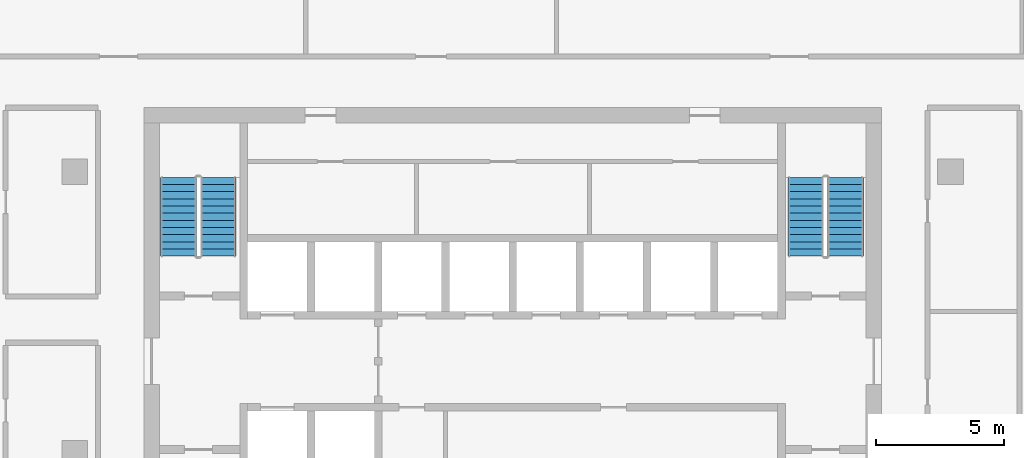
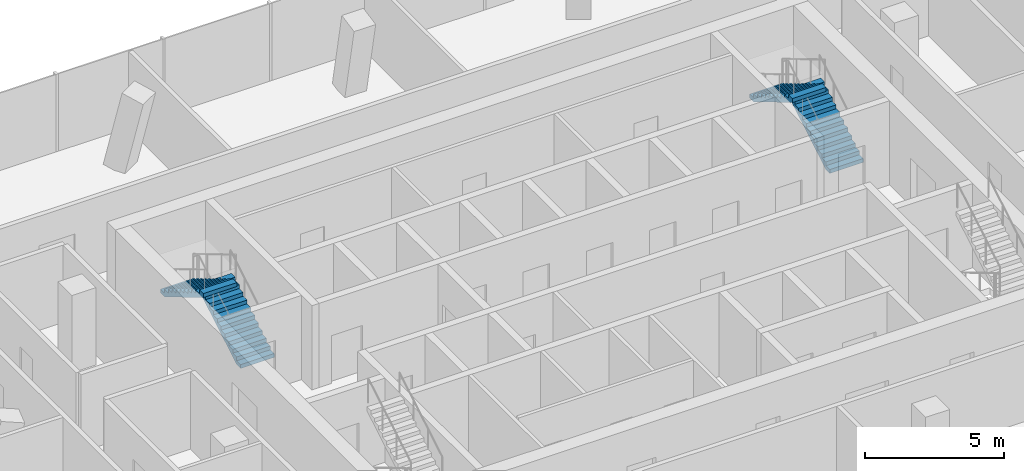
# One storey, part 10 of 11: 4 stair flights, 2 elements without a shape of their own.
"""IFC4 building model written with IfcOpenShell, lengths in metres."""

from ifc_helpers import new_model, si_unit, direction, frame, origin, place, context, subcontext, project, spatial, polyline, outline, extrude, material, type_object, element, aggregate, save


model = new_model("IFC4")

# Units and contexts
model_context = context("Model", 3, precision=1e-05, world=origin(), true_north=direction((0.0, 1.0)))
body_context = subcontext(model_context, "Body", "Model", "MODEL_VIEW")
ifc_project = project(units=[si_unit("LENGTHUNIT", "METRE"), si_unit("AREAUNIT", "SQUARE_METRE"), si_unit("VOLUMEUNIT", "CUBIC_METRE"), si_unit("PLANEANGLEUNIT", "RADIAN"), si_unit("MASSUNIT", "GRAM", prefix="KILO")], contexts=[model_context])

# Site, building, storey
site_placement = place(None, origin())
site = spatial("IfcSite", under=ifc_project, at=site_placement, CompositionType="ELEMENT")
building_placement = place(site_placement, origin())
building = spatial("IfcBuilding", under=site, at=building_placement, Name="Mopane Tessera Tower", CompositionType="ELEMENT")
storey_placement = place(building_placement, frame((0.0, 0.0, 333.39990234375)))
storey = spatial("IfcBuildingStorey", under=building, at=storey_placement, Name="L73", CompositionType="ELEMENT", Elevation=333.39990234375)

# Stair, stair flights
ifc_material_1 = material(Name="Concrete C50/60", Category="concrete")
stair_type = type_object("IfcStairType", Name="Escape stair 1400 mm, riser 167 mm", PredefinedType="HALF_TURN_STAIR", material=ifc_material_1)
stair_1_placement = place(storey_placement, origin())
stair_1 = element("IfcStair", 1, at=stair_1_placement, inside=storey, type_object=stair_type, Name="L73 Escape stair north-west", PredefinedType="HALF_TURN_STAIR")
ifc_material_2 = material(Name="Concrete C50/60", Category="concrete")
stair_flight_type = type_object("IfcStairFlightType", Name="Escape stair flight 1400 mm", PredefinedType="STRAIGHT", material=ifc_material_2)
stair_flight_1_placement = place(storey_placement, frame((-11.5, 7.699951171875, 0.0), z_axis=(0.0, 0.0, 1.0), x_axis=(0.0, 1.0, 0.0)))
stair_flight_1 = element("IfcStairFlight", 2, at=stair_flight_1_placement, type_object=stair_flight_type, Name="ST2 flight 1", NumberOfRisers=12, NumberOfTreads=11, PredefinedType="STRAIGHT", RiserHeight=0.166666667, TreadLength=0.28, context=body_context, shape_type="SweptSolid", body=[
    extrude(outline(polyline([(0.0, 0.0), (0.0, 0.166748046875), (0.280029296875, 0.166748046875), (0.280029296875, 0.333251953125), (0.56005859375, 0.333251953125), (0.56005859375, 0.5), (0.840087890625, 0.5), (0.840087890625, 0.666748046875), (1.1201171875, 0.666748046875), (1.1201171875, 0.833251953125), (1.39990234375, 0.833251953125), (1.39990234375, 1.0), (1.679931640625, 1.0), (1.679931640625, 1.166748046875), (1.9599609375, 1.166748046875), (1.9599609375, 1.333251953125), (2.239990234375, 1.333251953125), (2.239990234375, 1.5), (2.52001953125, 1.5), (2.52001953125, 1.666748046875), (2.800048828125, 1.666748046875), (2.800048828125, 1.833251953125), (3.080078125, 1.833251953125), (3.080078125, 2.0), (3.080078125, 1.658935546875), (0.29296875, 0.0), (0.0, 0.0)])), frame((0.0, 0.699951171875, 0.0), z_axis=(0.0, -1.0, 0.0), x_axis=(1.0, 0.0, 0.0)), (0.0, 0.0, 1.0), 1.39990234375),
])
stair_flight_2_placement = place(storey_placement, frame((-13.050048828125, 10.780029296875, 2.0), z_axis=(0.0, 0.0, 1.0), x_axis=(0.0, -1.0, 0.0)))
stair_flight_2 = element("IfcStairFlight", 3, at=stair_flight_2_placement, type_object=stair_flight_type, Name="ST2 flight 2", NumberOfRisers=12, NumberOfTreads=11, PredefinedType="STRAIGHT", RiserHeight=0.166666667, TreadLength=0.28, context=body_context, shape_type="SweptSolid", body=[
    extrude(outline(polyline([(0.0, 0.0), (0.0, 0.166748046875), (0.280029296875, 0.166748046875), (0.280029296875, 0.333251953125), (0.56005859375, 0.333251953125), (0.56005859375, 0.5), (0.840087890625, 0.5), (0.840087890625, 0.666748046875), (1.1201171875, 0.666748046875), (1.1201171875, 0.833251953125), (1.39990234375, 0.833251953125), (1.39990234375, 1.0), (1.679931640625, 1.0), (1.679931640625, 1.166748046875), (1.9599609375, 1.166748046875), (1.9599609375, 1.333251953125), (2.239990234375, 1.333251953125), (2.239990234375, 1.5), (2.52001953125, 1.5), (2.52001953125, 1.666748046875), (2.800048828125, 1.666748046875), (2.800048828125, 1.833251953125), (3.080078125, 1.833251953125), (3.080078125, 2.0), (3.080078125, 1.658935546875), (0.29296875, 0.0), (0.0, 0.0)])), frame((0.0, 0.699951171875, 0.0), z_axis=(0.0, -1.0, 0.0), x_axis=(1.0, 0.0, 0.0)), (0.0, 0.0, 1.0), 1.39990234375),
])
aggregate(stair_1, [stair_flight_1, stair_flight_2])

stair_2_placement = place(storey_placement, origin())
stair_2 = element("IfcStair", 4, at=stair_2_placement, inside=storey, type_object=stair_type, Name="L73 Escape stair north-east", PredefinedType="HALF_TURN_STAIR")
stair_flight_3_placement = place(storey_placement, frame((13.0, 7.699951171875, 0.0), z_axis=(0.0, 0.0, 1.0), x_axis=(0.0, 1.0, 0.0)))
stair_flight_3 = element("IfcStairFlight", 5, at=stair_flight_3_placement, type_object=stair_flight_type, Name="ST4 flight 1", NumberOfRisers=12, NumberOfTreads=11, PredefinedType="STRAIGHT", RiserHeight=0.166666667, TreadLength=0.28, context=body_context, shape_type="SweptSolid", body=[
    extrude(outline(polyline([(0.0, 0.0), (0.0, 0.166748046875), (0.280029296875, 0.166748046875), (0.280029296875, 0.333251953125), (0.56005859375, 0.333251953125), (0.56005859375, 0.5), (0.840087890625, 0.5), (0.840087890625, 0.666748046875), (1.1201171875, 0.666748046875), (1.1201171875, 0.833251953125), (1.39990234375, 0.833251953125), (1.39990234375, 1.0), (1.679931640625, 1.0), (1.679931640625, 1.166748046875), (1.9599609375, 1.166748046875), (1.9599609375, 1.333251953125), (2.239990234375, 1.333251953125), (2.239990234375, 1.5), (2.52001953125, 1.5), (2.52001953125, 1.666748046875), (2.800048828125, 1.666748046875), (2.800048828125, 1.833251953125), (3.080078125, 1.833251953125), (3.080078125, 2.0), (3.080078125, 1.658935546875), (0.29296875, 0.0), (0.0, 0.0)])), frame((0.0, 0.699951171875, 0.0), z_axis=(0.0, -1.0, 0.0), x_axis=(1.0, 0.0, 0.0)), (0.0, 0.0, 1.0), 1.39990234375),
])
stair_flight_4_placement = place(storey_placement, frame((11.449951171875, 10.780029296875, 2.0), z_axis=(0.0, 0.0, 1.0), x_axis=(0.0, -1.0, 0.0)))
stair_flight_4 = element("IfcStairFlight", 6, at=stair_flight_4_placement, type_object=stair_flight_type, Name="ST4 flight 2", NumberOfRisers=12, NumberOfTreads=11, PredefinedType="STRAIGHT", RiserHeight=0.166666667, TreadLength=0.28, context=body_context, shape_type="SweptSolid", body=[
    extrude(outline(polyline([(0.0, 0.0), (0.0, 0.166748046875), (0.280029296875, 0.166748046875), (0.280029296875, 0.333251953125), (0.56005859375, 0.333251953125), (0.56005859375, 0.5), (0.840087890625, 0.5), (0.840087890625, 0.666748046875), (1.1201171875, 0.666748046875), (1.1201171875, 0.833251953125), (1.39990234375, 0.833251953125), (1.39990234375, 1.0), (1.679931640625, 1.0), (1.679931640625, 1.166748046875), (1.9599609375, 1.166748046875), (1.9599609375, 1.333251953125), (2.239990234375, 1.333251953125), (2.239990234375, 1.5), (2.52001953125, 1.5), (2.52001953125, 1.666748046875), (2.800048828125, 1.666748046875), (2.800048828125, 1.833251953125), (3.080078125, 1.833251953125), (3.080078125, 2.0), (3.080078125, 1.658935546875), (0.29296875, 0.0), (0.0, 0.0)])), frame((0.0, 0.699951171875, 0.0), z_axis=(0.0, -1.0, 0.0), x_axis=(1.0, 0.0, 0.0)), (0.0, 0.0, 1.0), 1.39990234375),
])
aggregate(stair_2, [stair_flight_3, stair_flight_4])

save(model, "model.ifc")
